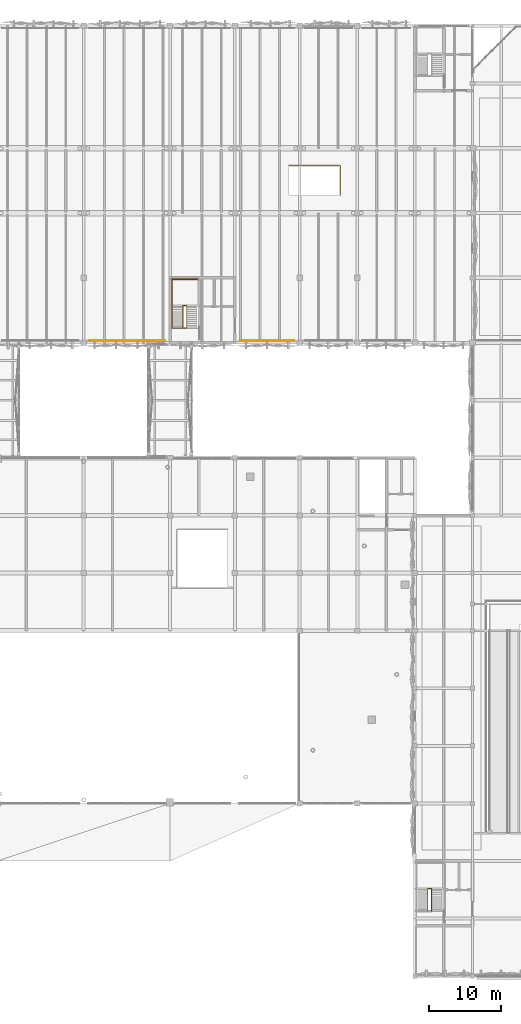
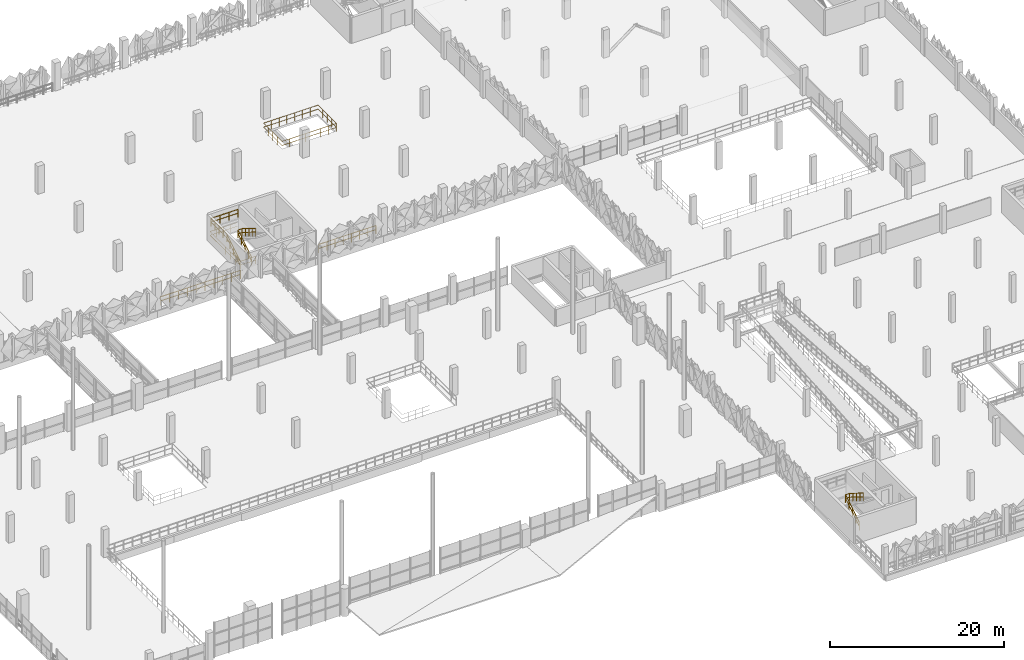
# One storey, part 114 of 123: 7 railings.
"""IFC4 building model written with IfcOpenShell, lengths in metres."""

from ifc_helpers import new_model, si_unit, derived_unit, direction, frame, origin, origin_2d, place, context, subcontext, project, spatial, circle, extrude, material, type_object, element, save


model = new_model("IFC4")

# Units and contexts
model_context = context("Model", 3, precision=1e-05, world=origin(), true_north=direction((0.0, 1.0)))
body_context = subcontext(model_context, "Body", "Model", "MODEL_VIEW")
ifc_project = project(units=[si_unit("LENGTHUNIT", "METRE"), si_unit("AREAUNIT", "SQUARE_METRE"), si_unit("VOLUMEUNIT", "CUBIC_METRE"), si_unit("PLANEANGLEUNIT", "RADIAN"), si_unit("MASSUNIT", "GRAM", prefix="KILO"), si_unit("THERMODYNAMICTEMPERATUREUNIT", "KELVIN"), derived_unit("THERMALTRANSMITTANCEUNIT", [(si_unit("POWERUNIT", "WATT"), 1), (si_unit("AREAUNIT", "SQUARE_METRE"), -1), (si_unit("THERMODYNAMICTEMPERATUREUNIT", "KELVIN"), -1)])], contexts=[model_context])

# Site, building, storey
site_placement = place(None, origin())
site = spatial("IfcSite", under=ifc_project, at=site_placement, CompositionType="ELEMENT")
building_placement = place(site_placement, origin())
building = spatial("IfcBuilding", under=site, at=building_placement, Name="Haiyu Intermodal Mobility Hub", CompositionType="ELEMENT")
storey_placement = place(building_placement, frame((0.0, 0.0, 5.60009765625)))
storey = spatial("IfcBuildingStorey", under=building, at=storey_placement, Name="L01", CompositionType="ELEMENT", Elevation=5.60009765625)

# Railings
ifc_material = material(Name="Steel Q355C", Category="steel")
railing_type_1 = type_object("IfcRailingType", Name="RAL-GR01", PredefinedType="GUARDRAIL", material=ifc_material)
railing_1_placement = place(storey_placement, frame((108.699951171875, 104.340087890625, 0.0)))
element("IfcRailing", 1, at=railing_1_placement, inside=storey, type_object=railing_type_1, Name="RAL-CAR-S-0132", PredefinedType="GUARDRAIL", context=body_context, shape_type="SweptSolid", body=[
    extrude(circle(Radius=0.02392578125, at=origin_2d()), frame((0.030029296875, 0.0, 1.17578125), z_axis=(1.0, 0.0, 0.0), x_axis=(0.0, 1.0, 0.0)), (0.0, 0.0, 1.0), 10.5400390625),
    extrude(circle(Radius=0.02392578125, at=origin_2d()), frame((0.037353515625, 0.0, 0.60009765625), z_axis=(1.0, 0.0, 0.0), x_axis=(0.0, 1.0, 0.0)), (0.0, 0.0, 1.0), 1.103271484375),
    extrude(circle(Radius=0.02392578125, at=origin_2d()), frame((1.215087890625, 0.0, 0.60009765625), z_axis=(1.0, 0.0, 0.0), x_axis=(0.0, 1.0, 0.0)), (0.0, 0.0, 1.0), 1.103271484375),
    extrude(circle(Radius=0.02392578125, at=origin_2d()), frame((2.392822265625, 0.0, 0.60009765625), z_axis=(1.0, 0.0, 0.0), x_axis=(0.0, 1.0, 0.0)), (0.0, 0.0, 1.0), 1.103271484375),
    extrude(circle(Radius=0.02392578125, at=origin_2d()), frame((3.570556640625, 0.0, 0.60009765625), z_axis=(1.0, 0.0, 0.0), x_axis=(0.0, 1.0, 0.0)), (0.0, 0.0, 1.0), 1.103271484375),
    extrude(circle(Radius=0.02392578125, at=origin_2d()), frame((4.74853515625, 0.0, 0.60009765625), z_axis=(1.0, 0.0, 0.0), x_axis=(0.0, 1.0, 0.0)), (0.0, 0.0, 1.0), 1.103271484375),
    extrude(circle(Radius=0.02392578125, at=origin_2d()), frame((5.92626953125, 0.0, 0.60009765625), z_axis=(1.0, 0.0, 0.0), x_axis=(0.0, 1.0, 0.0)), (0.0, 0.0, 1.0), 1.103271484375),
    extrude(circle(Radius=0.02392578125, at=origin_2d()), frame((7.10400390625, 0.0, 0.60009765625), z_axis=(1.0, 0.0, 0.0), x_axis=(0.0, 1.0, 0.0)), (0.0, 0.0, 1.0), 1.103271484375),
    extrude(circle(Radius=0.02392578125, at=origin_2d()), frame((8.28173828125, 0.0, 0.60009765625), z_axis=(1.0, 0.0, 0.0), x_axis=(0.0, 1.0, 0.0)), (0.0, 0.0, 1.0), 1.103271484375),
    extrude(circle(Radius=0.02392578125, at=origin_2d()), frame((9.459716796875, 0.0, 0.60009765625), z_axis=(1.0, 0.0, 0.0), x_axis=(0.0, 1.0, 0.0)), (0.0, 0.0, 1.0), 1.103271484375),
    extrude(circle(Radius=0.02099609375, at=origin_2d()), origin(), (0.0, 0.0, 1.0), 1.143798828125),
    extrude(circle(Radius=0.02099609375, at=origin_2d()), frame((1.177734375, 0.0, 0.0)), (0.0, 0.0, 1.0), 1.143798828125),
    extrude(circle(Radius=0.02099609375, at=origin_2d()), frame((2.35546875, 0.0, 0.0)), (0.0, 0.0, 1.0), 1.143798828125),
    extrude(circle(Radius=0.02099609375, at=origin_2d()), frame((3.533447265625, 0.0, 0.0)), (0.0, 0.0, 1.0), 1.143798828125),
    extrude(circle(Radius=0.02099609375, at=origin_2d()), frame((4.711181640625, 0.0, 0.0)), (0.0, 0.0, 1.0), 1.143798828125),
    extrude(circle(Radius=0.02099609375, at=origin_2d()), frame((5.888916015625, 0.0, 0.0)), (0.0, 0.0, 1.0), 1.143798828125),
    extrude(circle(Radius=0.02099609375, at=origin_2d()), frame((7.066650390625, 0.0, 0.0)), (0.0, 0.0, 1.0), 1.143798828125),
    extrude(circle(Radius=0.02099609375, at=origin_2d()), frame((8.24462890625, 0.0, 0.0)), (0.0, 0.0, 1.0), 1.143798828125),
    extrude(circle(Radius=0.02099609375, at=origin_2d()), frame((9.42236328125, 0.0, 0.0)), (0.0, 0.0, 1.0), 1.143798828125),
    extrude(circle(Radius=0.02099609375, at=origin_2d()), frame((10.60009765625, 0.0, 0.0)), (0.0, 0.0, 1.0), 1.143798828125),
])
railing_2_placement = place(storey_placement, frame((129.699951171875, 104.340087890625, 0.0)))
element("IfcRailing", 2, at=railing_2_placement, inside=storey, type_object=railing_type_1, Name="RAL-CAR-S-0138", PredefinedType="GUARDRAIL", context=body_context, shape_type="SweptSolid", body=[
    extrude(circle(Radius=0.02392578125, at=origin_2d()), frame((0.030029296875, 0.0, 1.17578125), z_axis=(1.0, 0.0, 0.0), x_axis=(0.0, 1.0, 0.0)), (0.0, 0.0, 1.0), 7.5400390625),
    extrude(circle(Radius=0.02392578125, at=origin_2d()), frame((0.037353515625, 0.0, 0.60009765625), z_axis=(1.0, 0.0, 0.0), x_axis=(0.0, 1.0, 0.0)), (0.0, 0.0, 1.0), 1.01123046875),
    extrude(circle(Radius=0.02392578125, at=origin_2d()), frame((1.123046875, 0.0, 0.60009765625), z_axis=(1.0, 0.0, 0.0), x_axis=(0.0, 1.0, 0.0)), (0.0, 0.0, 1.0), 1.01123046875),
    extrude(circle(Radius=0.02392578125, at=origin_2d()), frame((2.208740234375, 0.0, 0.60009765625), z_axis=(1.0, 0.0, 0.0), x_axis=(0.0, 1.0, 0.0)), (0.0, 0.0, 1.0), 1.01123046875),
    extrude(circle(Radius=0.02392578125, at=origin_2d()), frame((3.29443359375, 0.0, 0.60009765625), z_axis=(1.0, 0.0, 0.0), x_axis=(0.0, 1.0, 0.0)), (0.0, 0.0, 1.0), 1.01123046875),
    extrude(circle(Radius=0.02392578125, at=origin_2d()), frame((4.380126953125, 0.0, 0.60009765625), z_axis=(1.0, 0.0, 0.0), x_axis=(0.0, 1.0, 0.0)), (0.0, 0.0, 1.0), 1.01123046875),
    extrude(circle(Radius=0.02392578125, at=origin_2d()), frame((5.4658203125, 0.0, 0.60009765625), z_axis=(1.0, 0.0, 0.0), x_axis=(0.0, 1.0, 0.0)), (0.0, 0.0, 1.0), 1.01123046875),
    extrude(circle(Radius=0.02392578125, at=origin_2d()), frame((6.5517578125, 0.0, 0.60009765625), z_axis=(1.0, 0.0, 0.0), x_axis=(0.0, 1.0, 0.0)), (0.0, 0.0, 1.0), 1.01123046875),
    extrude(circle(Radius=0.02099609375, at=origin_2d()), origin(), (0.0, 0.0, 1.0), 1.143798828125),
    extrude(circle(Radius=0.02099609375, at=origin_2d()), frame((1.085693359375, 0.0, 0.0)), (0.0, 0.0, 1.0), 1.143798828125),
    extrude(circle(Radius=0.02099609375, at=origin_2d()), frame((2.17138671875, 0.0, 0.0)), (0.0, 0.0, 1.0), 1.143798828125),
    extrude(circle(Radius=0.02099609375, at=origin_2d()), frame((3.257080078125, 0.0, 0.0)), (0.0, 0.0, 1.0), 1.143798828125),
    extrude(circle(Radius=0.02099609375, at=origin_2d()), frame((4.343017578125, 0.0, 0.0)), (0.0, 0.0, 1.0), 1.143798828125),
    extrude(circle(Radius=0.02099609375, at=origin_2d()), frame((5.4287109375, 0.0, 0.0)), (0.0, 0.0, 1.0), 1.143798828125),
    extrude(circle(Radius=0.02099609375, at=origin_2d()), frame((6.514404296875, 0.0, 0.0)), (0.0, 0.0, 1.0), 1.143798828125),
    extrude(circle(Radius=0.02099609375, at=origin_2d()), frame((7.60009765625, 0.0, 0.0)), (0.0, 0.0, 1.0), 1.143798828125),
])
railing_3_placement = place(storey_placement, frame((136.3798828125, 124.3798828125, 0.0)))
element("IfcRailing", 3, at=railing_3_placement, inside=storey, type_object=railing_type_1, Name="RAL-V4VOID-L01-E", PredefinedType="GUARDRAIL", context=body_context, shape_type="SweptSolid", body=[
    extrude(circle(Radius=0.02392578125, at=origin_2d()), frame((0.030029296875, 0.0, 1.15576171875), z_axis=(1.0, 0.0, 0.0), x_axis=(0.0, 1.0, 0.0)), (0.0, 0.0, 1.0), 7.18017578125),
    extrude(circle(Radius=0.02392578125, at=origin_2d()), frame((0.037353515625, 0.0, 0.58984375), z_axis=(1.0, 0.0, 0.0), x_axis=(0.0, 1.0, 0.0)), (0.0, 0.0, 1.0), 0.959716796875),
    extrude(circle(Radius=0.02392578125, at=origin_2d()), frame((1.071533203125, 0.0, 0.58984375), z_axis=(1.0, 0.0, 0.0), x_axis=(0.0, 1.0, 0.0)), (0.0, 0.0, 1.0), 0.959716796875),
    extrude(circle(Radius=0.02392578125, at=origin_2d()), frame((2.10595703125, 0.0, 0.58984375), z_axis=(1.0, 0.0, 0.0), x_axis=(0.0, 1.0, 0.0)), (0.0, 0.0, 1.0), 0.959716796875),
    extrude(circle(Radius=0.02392578125, at=origin_2d()), frame((3.14013671875, 0.0, 0.58984375), z_axis=(1.0, 0.0, 0.0), x_axis=(0.0, 1.0, 0.0)), (0.0, 0.0, 1.0), 0.959716796875),
    extrude(circle(Radius=0.02392578125, at=origin_2d()), frame((4.174560546875, 0.0, 0.58984375), z_axis=(1.0, 0.0, 0.0), x_axis=(0.0, 1.0, 0.0)), (0.0, 0.0, 1.0), 0.959716796875),
    extrude(circle(Radius=0.02392578125, at=origin_2d()), frame((5.208984375, 0.0, 0.58984375), z_axis=(1.0, 0.0, 0.0), x_axis=(0.0, 1.0, 0.0)), (0.0, 0.0, 1.0), 0.959716796875),
    extrude(circle(Radius=0.02392578125, at=origin_2d()), frame((6.2431640625, 0.0, 0.58984375), z_axis=(1.0, 0.0, 0.0), x_axis=(0.0, 1.0, 0.0)), (0.0, 0.0, 1.0), 0.959716796875),
    extrude(circle(Radius=0.02392578125, at=origin_2d()), frame((7.240234375, 0.030029296875, 1.15576171875), z_axis=(0.0, 1.0, 0.0), x_axis=(-1.0, 0.0, 0.0)), (0.0, 0.0, 1.0), 4.18017578125),
    extrude(circle(Radius=0.02392578125, at=origin_2d()), frame((7.240234375, 0.037353515625, 0.58984375), z_axis=(0.0, 1.0, 0.0), x_axis=(-1.0, 0.0, 0.0)), (0.0, 0.0, 1.0), 0.9853515625),
    extrude(circle(Radius=0.02392578125, at=origin_2d()), frame((7.240234375, 1.097412109375, 0.58984375), z_axis=(0.0, 1.0, 0.0), x_axis=(-1.0, 0.0, 0.0)), (0.0, 0.0, 1.0), 0.9853515625),
    extrude(circle(Radius=0.02392578125, at=origin_2d()), frame((7.240234375, 2.157470703125, 0.58984375), z_axis=(0.0, 1.0, 0.0), x_axis=(-1.0, 0.0, 0.0)), (0.0, 0.0, 1.0), 0.9853515625),
    extrude(circle(Radius=0.02392578125, at=origin_2d()), frame((7.240234375, 3.217529296875, 0.58984375), z_axis=(0.0, 1.0, 0.0), x_axis=(-1.0, 0.0, 0.0)), (0.0, 0.0, 1.0), 0.9853515625),
    extrude(circle(Radius=0.02392578125, at=origin_2d()), frame((7.210205078125, 4.240234375, 1.15576171875), z_axis=(-1.0, 0.0, 0.0), x_axis=(0.0, -1.0, 0.0)), (0.0, 0.0, 1.0), 7.18017578125),
    extrude(circle(Radius=0.02392578125, at=origin_2d()), frame((7.202880859375, 4.240234375, 0.58984375), z_axis=(-1.0, 0.0, 0.0), x_axis=(0.0, -1.0, 0.0)), (0.0, 0.0, 1.0), 0.959716796875),
    extrude(circle(Radius=0.02392578125, at=origin_2d()), frame((6.168701171875, 4.240234375, 0.58984375), z_axis=(-1.0, 0.0, 0.0), x_axis=(0.0, -1.0, 0.0)), (0.0, 0.0, 1.0), 0.959716796875),
    extrude(circle(Radius=0.02392578125, at=origin_2d()), frame((5.13427734375, 4.240234375, 0.58984375), z_axis=(-1.0, 0.0, 0.0), x_axis=(0.0, -1.0, 0.0)), (0.0, 0.0, 1.0), 0.959716796875),
    extrude(circle(Radius=0.02392578125, at=origin_2d()), frame((4.10009765625, 4.240234375, 0.58984375), z_axis=(-1.0, 0.0, 0.0), x_axis=(0.0, -1.0, 0.0)), (0.0, 0.0, 1.0), 0.959716796875),
    extrude(circle(Radius=0.02392578125, at=origin_2d()), frame((3.065673828125, 4.240234375, 0.58984375), z_axis=(-1.0, 0.0, 0.0), x_axis=(0.0, -1.0, 0.0)), (0.0, 0.0, 1.0), 0.959716796875),
    extrude(circle(Radius=0.02392578125, at=origin_2d()), frame((2.03125, 4.240234375, 0.58984375), z_axis=(-1.0, 0.0, 0.0), x_axis=(0.0, -1.0, 0.0)), (0.0, 0.0, 1.0), 0.959716796875),
    extrude(circle(Radius=0.02392578125, at=origin_2d()), frame((0.9970703125, 4.240234375, 0.58984375), z_axis=(-1.0, 0.0, 0.0), x_axis=(0.0, -1.0, 0.0)), (0.0, 0.0, 1.0), 0.959716796875),
    extrude(circle(Radius=0.02392578125, at=origin_2d()), frame((0.0, 4.210205078125, 1.15576171875), z_axis=(0.0, -1.0, 0.0), x_axis=(1.0, 0.0, 0.0)), (0.0, 0.0, 1.0), 4.18017578125),
    extrude(circle(Radius=0.02392578125, at=origin_2d()), frame((0.0, 4.202880859375, 0.58984375), z_axis=(0.0, -1.0, 0.0), x_axis=(1.0, 0.0, 0.0)), (0.0, 0.0, 1.0), 0.9853515625),
    extrude(circle(Radius=0.02392578125, at=origin_2d()), frame((0.0, 3.142822265625, 0.58984375), z_axis=(0.0, -1.0, 0.0), x_axis=(1.0, 0.0, 0.0)), (0.0, 0.0, 1.0), 0.9853515625),
    extrude(circle(Radius=0.02392578125, at=origin_2d()), frame((0.0, 2.082763671875, 0.58984375), z_axis=(0.0, -1.0, 0.0), x_axis=(1.0, 0.0, 0.0)), (0.0, 0.0, 1.0), 0.9853515625),
    extrude(circle(Radius=0.02392578125, at=origin_2d()), frame((0.0, 1.022705078125, 0.58984375), z_axis=(0.0, -1.0, 0.0), x_axis=(1.0, 0.0, 0.0)), (0.0, 0.0, 1.0), 0.9853515625),
    extrude(circle(Radius=0.02099609375, at=origin_2d()), origin(), (0.0, 0.0, 1.0), 1.123779296875),
    extrude(circle(Radius=0.02099609375, at=origin_2d()), frame((1.034423828125, 0.0, 0.0)), (0.0, 0.0, 1.0), 1.123779296875),
    extrude(circle(Radius=0.02099609375, at=origin_2d()), frame((2.068603515625, 0.0, 0.0)), (0.0, 0.0, 1.0), 1.123779296875),
    extrude(circle(Radius=0.02099609375, at=origin_2d()), frame((3.10302734375, 0.0, 0.0)), (0.0, 0.0, 1.0), 1.123779296875),
    extrude(circle(Radius=0.02099609375, at=origin_2d()), frame((4.13720703125, 0.0, 0.0)), (0.0, 0.0, 1.0), 1.123779296875),
    extrude(circle(Radius=0.02099609375, at=origin_2d()), frame((5.171630859375, 0.0, 0.0)), (0.0, 0.0, 1.0), 1.123779296875),
    extrude(circle(Radius=0.02099609375, at=origin_2d()), frame((6.205810546875, 0.0, 0.0)), (0.0, 0.0, 1.0), 1.123779296875),
    extrude(circle(Radius=0.02099609375, at=origin_2d()), frame((7.240234375, 0.0, 0.0)), (0.0, 0.0, 1.0), 1.123779296875),
    extrude(circle(Radius=0.02099609375, at=origin_2d()), frame((7.240234375, 1.06005859375, 0.0)), (0.0, 0.0, 1.0), 1.123779296875),
    extrude(circle(Radius=0.02099609375, at=origin_2d()), frame((7.240234375, 2.1201171875, 0.0)), (0.0, 0.0, 1.0), 1.123779296875),
    extrude(circle(Radius=0.02099609375, at=origin_2d()), frame((7.240234375, 3.18017578125, 0.0)), (0.0, 0.0, 1.0), 1.123779296875),
    extrude(circle(Radius=0.02099609375, at=origin_2d()), frame((7.240234375, 4.240234375, 0.0)), (0.0, 0.0, 1.0), 1.123779296875),
    extrude(circle(Radius=0.02099609375, at=origin_2d()), frame((6.205810546875, 4.240234375, 0.0)), (0.0, 0.0, 1.0), 1.123779296875),
    extrude(circle(Radius=0.02099609375, at=origin_2d()), frame((5.171630859375, 4.240234375, 0.0)), (0.0, 0.0, 1.0), 1.123779296875),
    extrude(circle(Radius=0.02099609375, at=origin_2d()), frame((4.13720703125, 4.240234375, 0.0)), (0.0, 0.0, 1.0), 1.123779296875),
    extrude(circle(Radius=0.02099609375, at=origin_2d()), frame((3.10302734375, 4.240234375, 0.0)), (0.0, 0.0, 1.0), 1.123779296875),
    extrude(circle(Radius=0.02099609375, at=origin_2d()), frame((2.068603515625, 4.240234375, 0.0)), (0.0, 0.0, 1.0), 1.123779296875),
    extrude(circle(Radius=0.02099609375, at=origin_2d()), frame((1.034423828125, 4.240234375, 0.0)), (0.0, 0.0, 1.0), 1.123779296875),
    extrude(circle(Radius=0.02099609375, at=origin_2d()), frame((0.0, 4.240234375, 0.0)), (0.0, 0.0, 1.0), 1.123779296875),
    extrude(circle(Radius=0.02099609375, at=origin_2d()), frame((0.0, 3.18017578125, 0.0)), (0.0, 0.0, 1.0), 1.123779296875),
    extrude(circle(Radius=0.02099609375, at=origin_2d()), frame((0.0, 2.1201171875, 0.0)), (0.0, 0.0, 1.0), 1.123779296875),
    extrude(circle(Radius=0.02099609375, at=origin_2d()), frame((0.0, 1.06005859375, 0.0)), (0.0, 0.0, 1.0), 1.123779296875),
])
railing_type_2 = type_object("IfcRailingType", Name="RAL-GR03", PredefinedType="GUARDRAIL", material=ifc_material)
railing_4_placement = place(storey_placement, frame((122.31005859375, 106.010009765625, 0.0)))
element("IfcRailing", 4, at=railing_4_placement, inside=storey, type_object=railing_type_2, Name="Stair Shaft Floor Guard STR-C6-L00", PredefinedType="GUARDRAIL", context=body_context, shape_type="SweptSolid", body=[
    extrude(circle(Radius=0.02392578125, at=origin_2d()), frame((-0.030029296875, 0.0, 1.09619140625), z_axis=(-1.0, 0.0, 0.0), x_axis=(0.0, -1.0, 0.0)), (0.0, 0.0, 1.0), 2.030029296875),
    extrude(circle(Radius=0.02392578125, at=origin_2d()), frame((-0.037353515625, 0.0, 0.56005859375), z_axis=(-1.0, 0.0, 0.0), x_axis=(0.0, -1.0, 0.0)), (0.0, 0.0, 1.0), 0.970458984375),
    extrude(circle(Radius=0.02392578125, at=origin_2d()), frame((-1.082275390625, 0.0, 0.56005859375), z_axis=(-1.0, 0.0, 0.0), x_axis=(0.0, -1.0, 0.0)), (0.0, 0.0, 1.0), 0.970458984375),
    extrude(circle(Radius=0.02392578125, at=origin_2d()), frame((-2.090087890625, 0.030029296875, 1.09619140625), z_axis=(0.0, 1.0, 0.0), x_axis=(-1.0, 0.0, 0.0)), (0.0, 0.0, 1.0), 6.8798828125),
    extrude(circle(Radius=0.02392578125, at=origin_2d()), frame((-2.090087890625, 0.037353515625, 0.56005859375), z_axis=(0.0, 1.0, 0.0), x_axis=(-1.0, 0.0, 0.0)), (0.0, 0.0, 1.0), 1.08203125),
    extrude(circle(Radius=0.02392578125, at=origin_2d()), frame((-2.090087890625, 1.19384765625, 0.56005859375), z_axis=(0.0, 1.0, 0.0), x_axis=(-1.0, 0.0, 0.0)), (0.0, 0.0, 1.0), 1.08203125),
    extrude(circle(Radius=0.02392578125, at=origin_2d()), frame((-2.090087890625, 2.3505859375, 0.56005859375), z_axis=(0.0, 1.0, 0.0), x_axis=(-1.0, 0.0, 0.0)), (0.0, 0.0, 1.0), 1.08203125),
    extrude(circle(Radius=0.02392578125, at=origin_2d()), frame((-2.090087890625, 3.50732421875, 0.56005859375), z_axis=(0.0, 1.0, 0.0), x_axis=(-1.0, 0.0, 0.0)), (0.0, 0.0, 1.0), 1.08203125),
    extrude(circle(Radius=0.02392578125, at=origin_2d()), frame((-2.090087890625, 4.663818359375, 0.56005859375), z_axis=(0.0, 1.0, 0.0), x_axis=(-1.0, 0.0, 0.0)), (0.0, 0.0, 1.0), 1.08203125),
    extrude(circle(Radius=0.02392578125, at=origin_2d()), frame((-2.090087890625, 5.820556640625, 0.56005859375), z_axis=(0.0, 1.0, 0.0), x_axis=(-1.0, 0.0, 0.0)), (0.0, 0.0, 1.0), 1.08203125),
    extrude(circle(Radius=0.02392578125, at=origin_2d()), frame((-2.06005859375, 6.93994140625, 1.09619140625), z_axis=(1.0, 0.0, 0.0), x_axis=(0.0, 1.0, 0.0)), (0.0, 0.0, 1.0), 3.590087890625),
    extrude(circle(Radius=0.02392578125, at=origin_2d()), frame((-2.052734375, 6.93994140625, 0.56005859375), z_axis=(1.0, 0.0, 0.0), x_axis=(0.0, 1.0, 0.0)), (0.0, 0.0, 1.0), 0.837890625),
    extrude(circle(Radius=0.02392578125, at=origin_2d()), frame((-1.14013671875, 6.93994140625, 0.56005859375), z_axis=(1.0, 0.0, 0.0), x_axis=(0.0, 1.0, 0.0)), (0.0, 0.0, 1.0), 0.837890625),
    extrude(circle(Radius=0.02392578125, at=origin_2d()), frame((-0.227783203125, 6.93994140625, 0.56005859375), z_axis=(1.0, 0.0, 0.0), x_axis=(0.0, 1.0, 0.0)), (0.0, 0.0, 1.0), 0.837890625),
    extrude(circle(Radius=0.02392578125, at=origin_2d()), frame((0.684814453125, 6.93994140625, 0.56005859375), z_axis=(1.0, 0.0, 0.0), x_axis=(0.0, 1.0, 0.0)), (0.0, 0.0, 1.0), 0.837890625),
    extrude(circle(Radius=0.02099609375, at=origin_2d()), origin(), (0.0, 0.0, 1.0), 1.06396484375),
    extrude(circle(Radius=0.02099609375, at=origin_2d()), frame((-1.044921875, 0.0, 0.0)), (0.0, 0.0, 1.0), 1.06396484375),
    extrude(circle(Radius=0.02099609375, at=origin_2d()), frame((-2.090087890625, 0.0, 0.0)), (0.0, 0.0, 1.0), 1.06396484375),
    extrude(circle(Radius=0.02099609375, at=origin_2d()), frame((-2.090087890625, 1.15673828125, 0.0)), (0.0, 0.0, 1.0), 1.06396484375),
    extrude(circle(Radius=0.02099609375, at=origin_2d()), frame((-2.090087890625, 2.313232421875, 0.0)), (0.0, 0.0, 1.0), 1.06396484375),
    extrude(circle(Radius=0.02099609375, at=origin_2d()), frame((-2.090087890625, 3.469970703125, 0.0)), (0.0, 0.0, 1.0), 1.06396484375),
    extrude(circle(Radius=0.02099609375, at=origin_2d()), frame((-2.090087890625, 4.626708984375, 0.0)), (0.0, 0.0, 1.0), 1.06396484375),
    extrude(circle(Radius=0.02099609375, at=origin_2d()), frame((-2.090087890625, 5.783203125, 0.0)), (0.0, 0.0, 1.0), 1.06396484375),
    extrude(circle(Radius=0.02099609375, at=origin_2d()), frame((-2.090087890625, 6.93994140625, 0.0)), (0.0, 0.0, 1.0), 1.06396484375),
    extrude(circle(Radius=0.02099609375, at=origin_2d()), frame((-1.177490234375, 6.93994140625, 0.0)), (0.0, 0.0, 1.0), 1.06396484375),
    extrude(circle(Radius=0.02099609375, at=origin_2d()), frame((-0.26513671875, 6.93994140625, 0.0)), (0.0, 0.0, 1.0), 1.06396484375),
    extrude(circle(Radius=0.02099609375, at=origin_2d()), frame((0.6474609375, 6.93994140625, 0.0)), (0.0, 0.0, 1.0), 1.06396484375),
    extrude(circle(Radius=0.02099609375, at=origin_2d()), frame((1.56005859375, 6.93994140625, 0.0)), (0.0, 0.0, 1.0), 1.06396484375),
])
railing_5_placement = place(storey_placement, frame((121.780029296875, 106.050048828125, 0.0)))
element("IfcRailing", 5, at=railing_5_placement, inside=storey, type_object=railing_type_2, Name="Stair Well Guard STR-C6-L01", PredefinedType="GUARDRAIL", context=body_context, shape_type="SweptSolid", body=[
    extrude(circle(Radius=0.02392578125, at=origin_2d()), frame((0.0, 0.025390625, 1.11181640625), z_axis=(0.0, 0.848756196164, 0.528784378999), x_axis=(-1.0, 0.0, 0.0)), (0.0, 0.0, 1.0), 3.627685546875),
    extrude(circle(Radius=0.02392578125, at=origin_2d()), frame((0.0, 0.03173828125, 0.579833984375), z_axis=(0.0, 0.848756196164, 0.528784378999), x_axis=(-1.0, 0.0, 0.0)), (0.0, 0.0, 1.0), 0.847412109375),
    extrude(circle(Radius=0.02392578125, at=origin_2d()), frame((0.0, 0.814208984375, 1.0673828125), z_axis=(0.0, 0.848756196164, 0.528784378999), x_axis=(-1.0, 0.0, 0.0)), (0.0, 0.0, 1.0), 0.847412109375),
    extrude(circle(Radius=0.02392578125, at=origin_2d()), frame((0.0, 1.5966796875, 1.5546875), z_axis=(0.0, 0.848756196164, 0.528784378999), x_axis=(-1.0, 0.0, 0.0)), (0.0, 0.0, 1.0), 0.847412109375),
    extrude(circle(Radius=0.02392578125, at=origin_2d()), frame((0.0, 2.379150390625, 2.042236328125), z_axis=(0.0, 0.848756196164, 0.528784378999), x_axis=(-1.0, 0.0, 0.0)), (0.0, 0.0, 1.0), 0.847412109375),
    extrude(circle(Radius=0.02392578125, at=origin_2d()), frame((0.030029296875, 3.1298828125, 3.0458984375), z_axis=(1.0, 0.0, 0.0), x_axis=(0.0, 1.0, 0.0)), (0.0, 0.0, 1.0), 0.469970703125),
    extrude(circle(Radius=0.02392578125, at=origin_2d()), frame((0.037353515625, 3.1298828125, 2.510009765625), z_axis=(1.0, 0.0, 0.0), x_axis=(0.0, 1.0, 0.0)), (0.0, 0.0, 1.0), 0.455322265625),
    extrude(circle(Radius=0.02392578125, at=origin_2d()), frame((0.530029296875, 3.1044921875, 3.061767578125), z_axis=(0.0, -0.848756196164, 0.528784378999), x_axis=(1.0, 0.0, 0.0)), (0.0, 0.0, 1.0), 3.627685546875),
    extrude(circle(Radius=0.02392578125, at=origin_2d()), frame((0.530029296875, 3.09814453125, 2.52978515625), z_axis=(0.0, -0.848756196164, 0.528784378999), x_axis=(1.0, 0.0, 0.0)), (0.0, 0.0, 1.0), 0.847412109375),
    extrude(circle(Radius=0.02392578125, at=origin_2d()), frame((0.530029296875, 2.315673828125, 3.017333984375), z_axis=(0.0, -0.848756196164, 0.528784378999), x_axis=(1.0, 0.0, 0.0)), (0.0, 0.0, 1.0), 0.847412109375),
    extrude(circle(Radius=0.02392578125, at=origin_2d()), frame((0.530029296875, 1.533203125, 3.504638671875), z_axis=(0.0, -0.848756196164, 0.528784378999), x_axis=(1.0, 0.0, 0.0)), (0.0, 0.0, 1.0), 0.847412109375),
    extrude(circle(Radius=0.02392578125, at=origin_2d()), frame((0.530029296875, 0.750732421875, 3.9921875), z_axis=(0.0, -0.848756196164, 0.528784378999), x_axis=(1.0, 0.0, 0.0)), (0.0, 0.0, 1.0), 0.847412109375),
    extrude(circle(Radius=0.02099609375, at=origin_2d()), origin(), (0.0, 0.0, 1.0), 1.06396484375),
    extrude(circle(Radius=0.02099609375, at=origin_2d()), frame((0.0, 0.782470703125, 0.487548828125)), (0.0, 0.0, 1.0), 1.06396484375),
    extrude(circle(Radius=0.02099609375, at=origin_2d()), frame((0.0, 1.56494140625, 0.97509765625)), (0.0, 0.0, 1.0), 1.06396484375),
    extrude(circle(Radius=0.02099609375, at=origin_2d()), frame((0.0, 2.347412109375, 1.46240234375)), (0.0, 0.0, 1.0), 1.06396484375),
    extrude(circle(Radius=0.02099609375, at=origin_2d()), frame((0.0, 3.1298828125, 1.949951171875)), (0.0, 0.0, 1.0), 1.06396484375),
    extrude(circle(Radius=0.02099609375, at=origin_2d()), frame((0.530029296875, 3.1298828125, 1.949951171875)), (0.0, 0.0, 1.0), 1.06396484375),
    extrude(circle(Radius=0.02099609375, at=origin_2d()), frame((0.530029296875, 2.347412109375, 2.4375)), (0.0, 0.0, 1.0), 1.06396484375),
    extrude(circle(Radius=0.02099609375, at=origin_2d()), frame((0.530029296875, 1.56494140625, 2.9248046875)), (0.0, 0.0, 1.0), 1.06396484375),
    extrude(circle(Radius=0.02099609375, at=origin_2d()), frame((0.530029296875, 0.782470703125, 3.412353515625)), (0.0, 0.0, 1.0), 1.06396484375),
    extrude(circle(Radius=0.02099609375, at=origin_2d()), frame((0.530029296875, 0.0, 3.89990234375)), (0.0, 0.0, 1.0), 1.06396484375),
])
railing_6_placement = place(storey_placement, frame((120.25, 106.050048828125, 0.0)))
element("IfcRailing", 6, at=railing_6_placement, inside=storey, type_object=railing_type_2, Name="Stair Outer Guard STR-C6-L01", PredefinedType="GUARDRAIL", context=body_context, shape_type="SweptSolid", body=[
    extrude(circle(Radius=0.02392578125, at=origin_2d()), frame((0.0, 0.025390625, 1.112060546875), z_axis=(0.0, 0.844894753029, 0.534932571736), x_axis=(-1.0, 0.0, 0.0)), (0.0, 0.0, 1.0), 3.585205078125),
    extrude(circle(Radius=0.02392578125, at=origin_2d()), frame((0.0, 0.031494140625, 0.580078125), z_axis=(0.0, 0.844894753029, 0.534932571736), x_axis=(-1.0, 0.0, 0.0)), (0.0, 0.0, 1.0), 0.836669921875),
    extrude(circle(Radius=0.02392578125, at=origin_2d()), frame((0.0, 0.801513671875, 1.0673828125), z_axis=(0.0, 0.844894753029, 0.534932571736), x_axis=(-1.0, 0.0, 0.0)), (0.0, 0.0, 1.0), 0.836669921875),
    extrude(circle(Radius=0.02392578125, at=origin_2d()), frame((0.0, 1.571533203125, 1.554931640625), z_axis=(0.0, 0.844894753029, 0.534932571736), x_axis=(-1.0, 0.0, 0.0)), (0.0, 0.0, 1.0), 0.836669921875),
    extrude(circle(Radius=0.02392578125, at=origin_2d()), frame((0.0, 2.34130859375, 2.04248046875), z_axis=(0.0, 0.844894753029, 0.534932571736), x_axis=(-1.0, 0.0, 0.0)), (0.0, 0.0, 1.0), 0.836669921875),
    extrude(circle(Radius=0.02392578125, at=origin_2d()), frame((0.0, 3.10986328125, 3.0458984375), z_axis=(0.0, 1.0, 0.0), x_axis=(-1.0, 0.0, 0.0)), (0.0, 0.0, 1.0), 3.570068359375),
    extrude(circle(Radius=0.02392578125, at=origin_2d()), frame((0.0, 3.1171875, 2.510009765625), z_axis=(0.0, 1.0, 0.0), x_axis=(-1.0, 0.0, 0.0)), (0.0, 0.0, 1.0), 0.8330078125),
    extrude(circle(Radius=0.02392578125, at=origin_2d()), frame((0.0, 4.024658203125, 2.510009765625), z_axis=(0.0, 1.0, 0.0), x_axis=(-1.0, 0.0, 0.0)), (0.0, 0.0, 1.0), 0.8330078125),
    extrude(circle(Radius=0.02392578125, at=origin_2d()), frame((0.0, 4.93212890625, 2.510009765625), z_axis=(0.0, 1.0, 0.0), x_axis=(-1.0, 0.0, 0.0)), (0.0, 0.0, 1.0), 0.8330078125),
    extrude(circle(Radius=0.02392578125, at=origin_2d()), frame((0.0, 5.83984375, 2.510009765625), z_axis=(0.0, 1.0, 0.0), x_axis=(-1.0, 0.0, 0.0)), (0.0, 0.0, 1.0), 0.8330078125),
    extrude(circle(Radius=0.02392578125, at=origin_2d()), frame((0.030029296875, 6.7099609375, 3.0458984375), z_axis=(1.0, 0.0, 0.0), x_axis=(0.0, 1.0, 0.0)), (0.0, 0.0, 1.0), 3.52001953125),
    extrude(circle(Radius=0.02392578125, at=origin_2d()), frame((0.037353515625, 6.7099609375, 2.510009765625), z_axis=(1.0, 0.0, 0.0), x_axis=(0.0, 1.0, 0.0)), (0.0, 0.0, 1.0), 1.11865234375),
    extrude(circle(Radius=0.02392578125, at=origin_2d()), frame((1.230712890625, 6.7099609375, 2.510009765625), z_axis=(1.0, 0.0, 0.0), x_axis=(0.0, 1.0, 0.0)), (0.0, 0.0, 1.0), 1.11865234375),
    extrude(circle(Radius=0.02392578125, at=origin_2d()), frame((2.424072265625, 6.7099609375, 2.510009765625), z_axis=(1.0, 0.0, 0.0), x_axis=(0.0, 1.0, 0.0)), (0.0, 0.0, 1.0), 1.11865234375),
    extrude(circle(Radius=0.02099609375, at=origin_2d()), origin(), (0.0, 0.0, 1.0), 1.06396484375),
    extrude(circle(Radius=0.02099609375, at=origin_2d()), frame((0.0, 0.77001953125, 0.487548828125)), (0.0, 0.0, 1.0), 1.06396484375),
    extrude(circle(Radius=0.02099609375, at=origin_2d()), frame((0.0, 1.5400390625, 0.97509765625)), (0.0, 0.0, 1.0), 1.06396484375),
    extrude(circle(Radius=0.02099609375, at=origin_2d()), frame((0.0, 2.309814453125, 1.46240234375)), (0.0, 0.0, 1.0), 1.06396484375),
    extrude(circle(Radius=0.02099609375, at=origin_2d()), frame((0.0, 3.079833984375, 1.949951171875)), (0.0, 0.0, 1.0), 1.06396484375),
    extrude(circle(Radius=0.02099609375, at=origin_2d()), frame((0.0, 3.9873046875, 1.949951171875)), (0.0, 0.0, 1.0), 1.06396484375),
    extrude(circle(Radius=0.02099609375, at=origin_2d()), frame((0.0, 4.89501953125, 1.949951171875)), (0.0, 0.0, 1.0), 1.06396484375),
    extrude(circle(Radius=0.02099609375, at=origin_2d()), frame((0.0, 5.802490234375, 1.949951171875)), (0.0, 0.0, 1.0), 1.06396484375),
    extrude(circle(Radius=0.02099609375, at=origin_2d()), frame((0.0, 6.7099609375, 1.949951171875)), (0.0, 0.0, 1.0), 1.06396484375),
    extrude(circle(Radius=0.02099609375, at=origin_2d()), frame((1.193359375, 6.7099609375, 1.949951171875)), (0.0, 0.0, 1.0), 1.06396484375),
    extrude(circle(Radius=0.02099609375, at=origin_2d()), frame((2.38671875, 6.7099609375, 1.949951171875)), (0.0, 0.0, 1.0), 1.06396484375),
    extrude(circle(Radius=0.02099609375, at=origin_2d()), frame((3.580078125, 6.7099609375, 1.949951171875)), (0.0, 0.0, 1.0), 1.06396484375),
])
railing_7_placement = place(storey_placement, frame((155.780029296875, 25.050048828125, 0.0)))
element("IfcRailing", 7, at=railing_7_placement, inside=storey, type_object=railing_type_2, Name="Stair Well Guard STR-C8-L01", PredefinedType="GUARDRAIL", context=body_context, shape_type="SweptSolid", body=[
    extrude(circle(Radius=0.02392578125, at=origin_2d()), frame((0.0, 0.025390625, 1.11181640625), z_axis=(0.0, 0.848756196164, 0.528784378999), x_axis=(-1.0, 0.0, 0.0)), (0.0, 0.0, 1.0), 3.627685546875),
    extrude(circle(Radius=0.02392578125, at=origin_2d()), frame((0.0, 0.03173828125, 0.579833984375), z_axis=(0.0, 0.848756196164, 0.528784378999), x_axis=(-1.0, 0.0, 0.0)), (0.0, 0.0, 1.0), 0.847412109375),
    extrude(circle(Radius=0.02392578125, at=origin_2d()), frame((0.0, 0.814208984375, 1.0673828125), z_axis=(0.0, 0.848756196164, 0.528784378999), x_axis=(-1.0, 0.0, 0.0)), (0.0, 0.0, 1.0), 0.847412109375),
    extrude(circle(Radius=0.02392578125, at=origin_2d()), frame((0.0, 1.5966796875, 1.5546875), z_axis=(0.0, 0.848756196164, 0.528784378999), x_axis=(-1.0, 0.0, 0.0)), (0.0, 0.0, 1.0), 0.847412109375),
    extrude(circle(Radius=0.02392578125, at=origin_2d()), frame((0.0, 2.379150390625, 2.042236328125), z_axis=(0.0, 0.848756196164, 0.528784378999), x_axis=(-1.0, 0.0, 0.0)), (0.0, 0.0, 1.0), 0.847412109375),
    extrude(circle(Radius=0.02392578125, at=origin_2d()), frame((0.030029296875, 3.1298828125, 3.0458984375), z_axis=(1.0, 0.0, 0.0), x_axis=(0.0, 1.0, 0.0)), (0.0, 0.0, 1.0), 0.469970703125),
    extrude(circle(Radius=0.02392578125, at=origin_2d()), frame((0.037353515625, 3.1298828125, 2.510009765625), z_axis=(1.0, 0.0, 0.0), x_axis=(0.0, 1.0, 0.0)), (0.0, 0.0, 1.0), 0.455322265625),
    extrude(circle(Radius=0.02392578125, at=origin_2d()), frame((0.530029296875, 3.1044921875, 3.061767578125), z_axis=(0.0, -0.848756196164, 0.528784378999), x_axis=(1.0, 0.0, 0.0)), (0.0, 0.0, 1.0), 3.627685546875),
    extrude(circle(Radius=0.02392578125, at=origin_2d()), frame((0.530029296875, 3.09814453125, 2.52978515625), z_axis=(0.0, -0.848756196164, 0.528784378999), x_axis=(1.0, 0.0, 0.0)), (0.0, 0.0, 1.0), 0.847412109375),
    extrude(circle(Radius=0.02392578125, at=origin_2d()), frame((0.530029296875, 2.315673828125, 3.017333984375), z_axis=(0.0, -0.848756196164, 0.528784378999), x_axis=(1.0, 0.0, 0.0)), (0.0, 0.0, 1.0), 0.847412109375),
    extrude(circle(Radius=0.02392578125, at=origin_2d()), frame((0.530029296875, 1.533203125, 3.504638671875), z_axis=(0.0, -0.848756196164, 0.528784378999), x_axis=(1.0, 0.0, 0.0)), (0.0, 0.0, 1.0), 0.847412109375),
    extrude(circle(Radius=0.02392578125, at=origin_2d()), frame((0.530029296875, 0.750732421875, 3.9921875), z_axis=(0.0, -0.848756196164, 0.528784378999), x_axis=(1.0, 0.0, 0.0)), (0.0, 0.0, 1.0), 0.847412109375),
    extrude(circle(Radius=0.02099609375, at=origin_2d()), origin(), (0.0, 0.0, 1.0), 1.06396484375),
    extrude(circle(Radius=0.02099609375, at=origin_2d()), frame((0.0, 0.782470703125, 0.487548828125)), (0.0, 0.0, 1.0), 1.06396484375),
    extrude(circle(Radius=0.02099609375, at=origin_2d()), frame((0.0, 1.56494140625, 0.97509765625)), (0.0, 0.0, 1.0), 1.06396484375),
    extrude(circle(Radius=0.02099609375, at=origin_2d()), frame((0.0, 2.347412109375, 1.46240234375)), (0.0, 0.0, 1.0), 1.06396484375),
    extrude(circle(Radius=0.02099609375, at=origin_2d()), frame((0.0, 3.1298828125, 1.949951171875)), (0.0, 0.0, 1.0), 1.06396484375),
    extrude(circle(Radius=0.02099609375, at=origin_2d()), frame((0.530029296875, 3.1298828125, 1.949951171875)), (0.0, 0.0, 1.0), 1.06396484375),
    extrude(circle(Radius=0.02099609375, at=origin_2d()), frame((0.530029296875, 2.347412109375, 2.4375)), (0.0, 0.0, 1.0), 1.06396484375),
    extrude(circle(Radius=0.02099609375, at=origin_2d()), frame((0.530029296875, 1.56494140625, 2.9248046875)), (0.0, 0.0, 1.0), 1.06396484375),
    extrude(circle(Radius=0.02099609375, at=origin_2d()), frame((0.530029296875, 0.782470703125, 3.412353515625)), (0.0, 0.0, 1.0), 1.06396484375),
    extrude(circle(Radius=0.02099609375, at=origin_2d()), frame((0.530029296875, 0.0, 3.89990234375)), (0.0, 0.0, 1.0), 1.06396484375),
])

save(model, "model.ifc")
